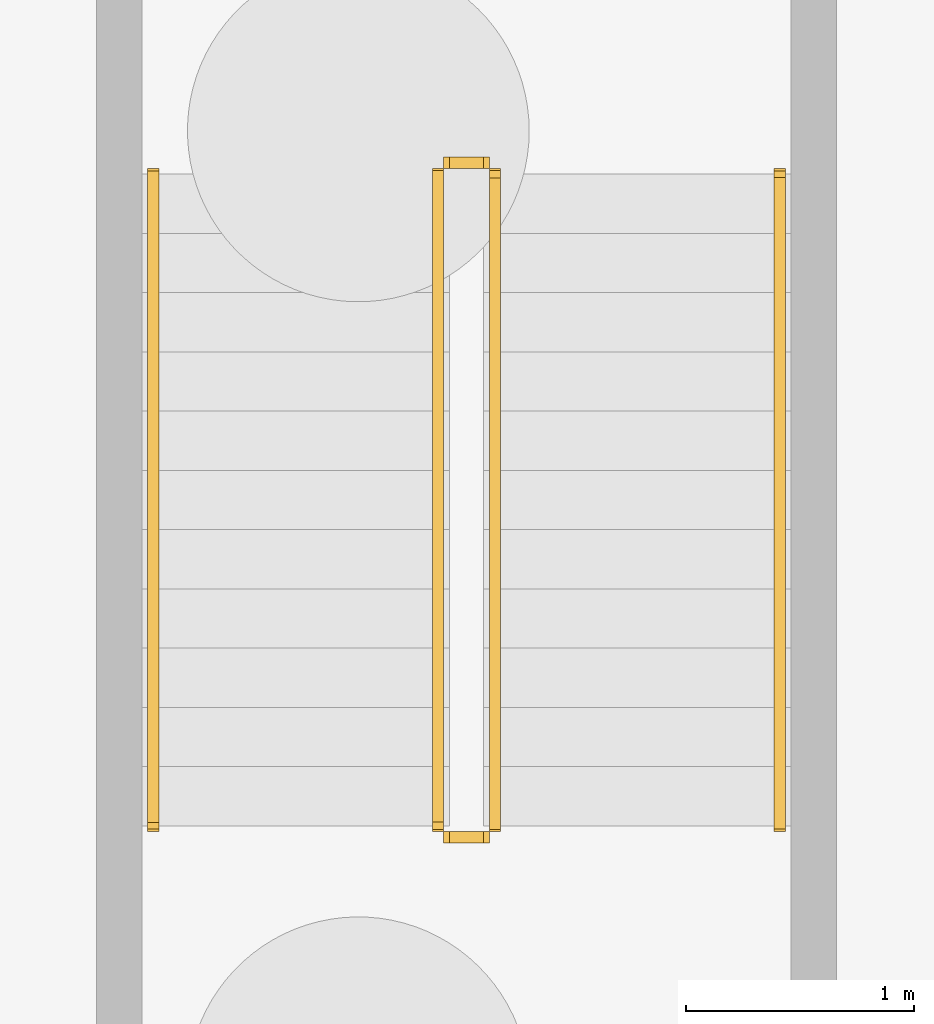
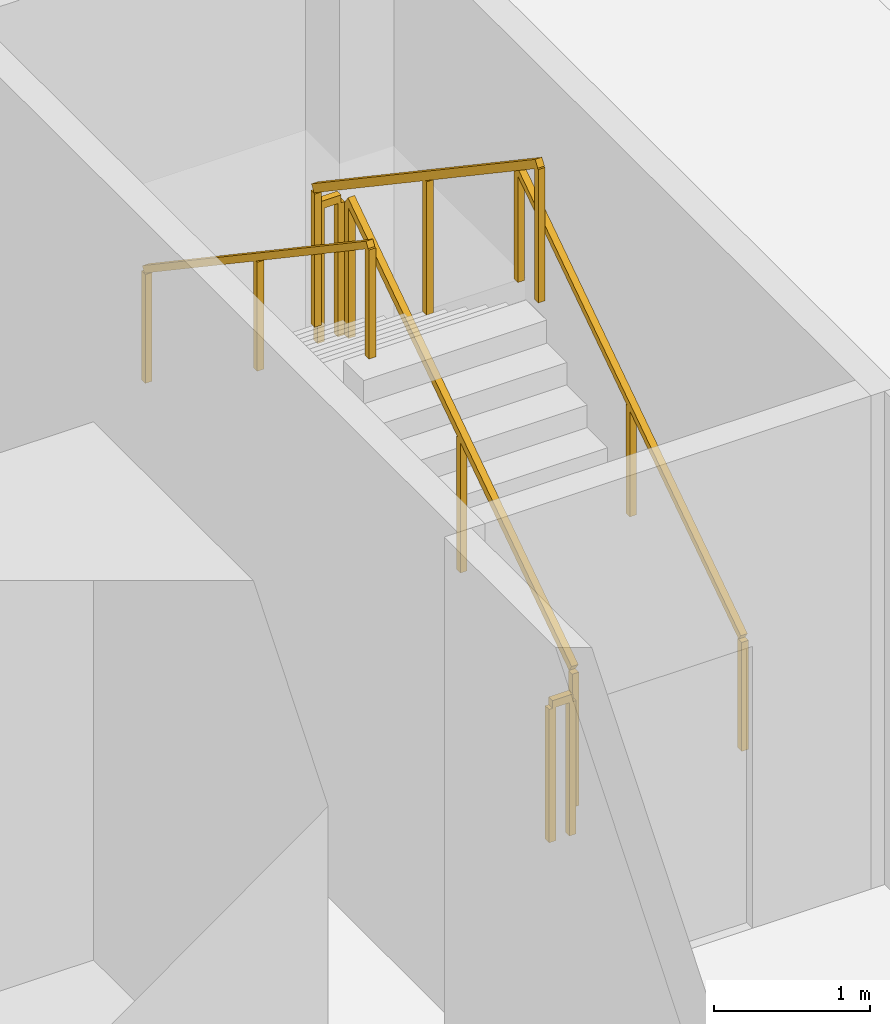
# One storey, part 18 of 19: 6 railings.
"""IFC4 building model written with IfcOpenShell, lengths in metres."""

from ifc_helpers import new_model, si_unit, direction, frame, origin, origin_2d, place, context, subcontext, project, spatial, rectangle, extrude, material, type_object, element, save


model = new_model("IFC4")

# Units and contexts
model_context = context("Model", 3, precision=1e-05, world=origin(), true_north=direction((0.0, 1.0)))
body_context = subcontext(model_context, "Body", "Model", "MODEL_VIEW")
ifc_project = project(units=[si_unit("LENGTHUNIT", "METRE"), si_unit("AREAUNIT", "SQUARE_METRE"), si_unit("VOLUMEUNIT", "CUBIC_METRE"), si_unit("PLANEANGLEUNIT", "RADIAN"), si_unit("MASSUNIT", "GRAM", prefix="KILO")], contexts=[model_context])

# Site, building, storey
site_placement = place(None, origin())
site = spatial("IfcSite", under=ifc_project, at=site_placement, CompositionType="ELEMENT")
building_placement = place(site_placement, origin())
building = spatial("IfcBuilding", under=site, at=building_placement, Name="Khepri Terraces", CompositionType="ELEMENT")
storey_placement = place(building_placement, frame((0.0, 0.0, -8.39990234375)))
storey = spatial("IfcBuildingStorey", under=building, at=storey_placement, Name="B2", CompositionType="ELEMENT", Elevation=-8.39990234375)

# Railings
ifc_material = material(Name="Stainless steel 316", Category="steel")
railing_type_1 = type_object("IfcRailingType", Name="RL-POD-GUARD", PredefinedType="GUARDRAIL", material=ifc_material)
railing_1_placement = place(storey_placement, frame((23.699951171875, 20.050048828125, 0.1748046875)))
element("IfcRailing", 1, at=railing_1_placement, inside=storey, type_object=railing_type_1, Name="B2 PS-1 stair guard 1", PredefinedType="GUARDRAIL", context=body_context, shape_type="SweptSolid", body=[
    extrude(rectangle(XDim=0.050048828125, YDim=0.06005859375, at=origin_2d()), frame((0.0, 0.0, 1.070068359375), z_axis=(0.0, 0.829568821333, 0.558404486615), x_axis=(-1.0, 0.0, 0.0)), (0.0, 0.0, 1.0), 3.447509765625),
    extrude(rectangle(XDim=0.050048828125, YDim=0.050048828125, at=origin_2d()), origin(), (0.0, 0.0, 1.0), 1.0400390625),
    extrude(rectangle(XDim=0.050048828125, YDim=0.050048828125, at=origin_2d()), frame((0.0, 1.429931640625, 0.96240234375)), (0.0, 0.0, 1.0), 1.0400390625),
    extrude(rectangle(XDim=0.050048828125, YDim=0.050048828125, at=origin_2d()), frame((0.0, 2.85986328125, 1.925048828125)), (0.0, 0.0, 1.0), 1.0400390625),
])
railing_2_placement = place(storey_placement, frame((23.64990234375, 22.9599609375, 2.099853515625)))
element("IfcRailing", 2, at=railing_2_placement, inside=storey, type_object=railing_type_1, Name="B2 PS-1 stair guard 2", PredefinedType="GUARDRAIL", context=body_context, shape_type="SweptSolid", body=[
    extrude(rectangle(XDim=0.050048828125, YDim=0.06005859375, at=origin_2d()), frame((0.0, 0.0, 1.070068359375), z_axis=(-1.0, 0.0, 0.0), x_axis=(0.0, -1.0, 0.0)), (0.0, 0.0, 1.0), 0.14990234375),
    extrude(rectangle(XDim=0.050048828125, YDim=0.050048828125, at=origin_2d()), origin(), (0.0, 0.0, 1.0), 1.0400390625),
    extrude(rectangle(XDim=0.050048828125, YDim=0.050048828125, at=origin_2d()), frame((-0.14990234375, 0.0, 0.0)), (0.0, 0.0, 1.0), 1.0400390625),
])
railing_3_placement = place(storey_placement, frame((23.449951171875, 22.909912109375, 2.27490234375)))
element("IfcRailing", 3, at=railing_3_placement, inside=storey, type_object=railing_type_1, Name="B2 PS-1 stair guard 3", PredefinedType="GUARDRAIL", context=body_context, shape_type="SweptSolid", body=[
    extrude(rectangle(XDim=0.050048828125, YDim=0.06005859375, at=origin_2d()), frame((0.0, 0.0, 1.070068359375), z_axis=(0.0, -0.829568821333, 0.558404486615), x_axis=(1.0, 0.0, 0.0)), (0.0, 0.0, 1.0), 3.447509765625),
    extrude(rectangle(XDim=0.050048828125, YDim=0.050048828125, at=origin_2d()), origin(), (0.0, 0.0, 1.0), 1.0400390625),
    extrude(rectangle(XDim=0.050048828125, YDim=0.050048828125, at=origin_2d()), frame((0.0, -1.429931640625, 0.96240234375)), (0.0, 0.0, 1.0), 1.0400390625),
    extrude(rectangle(XDim=0.050048828125, YDim=0.050048828125, at=origin_2d()), frame((0.0, -2.85986328125, 1.925048828125)), (0.0, 0.0, 1.0), 1.0400390625),
])
railing_4_placement = place(storey_placement, frame((23.64990234375, 20.0, 0.0)))
element("IfcRailing", 4, at=railing_4_placement, inside=storey, type_object=railing_type_1, Name="B2 PS-1 stair guard 4", PredefinedType="GUARDRAIL", context=body_context, shape_type="SweptSolid", body=[
    extrude(rectangle(XDim=0.050048828125, YDim=0.06005859375, at=origin_2d()), frame((0.0, 0.0, 1.070068359375), z_axis=(-1.0, 0.0, 0.0), x_axis=(0.0, -1.0, 0.0)), (0.0, 0.0, 1.0), 0.14990234375),
    extrude(rectangle(XDim=0.050048828125, YDim=0.050048828125, at=origin_2d()), origin(), (0.0, 0.0, 1.0), 1.0400390625),
    extrude(rectangle(XDim=0.050048828125, YDim=0.050048828125, at=origin_2d()), frame((-0.14990234375, 0.0, 0.0)), (0.0, 0.0, 1.0), 1.0400390625),
])
railing_type_2 = type_object("IfcRailingType", Name="RL-POD-HANDRAIL", PredefinedType="HANDRAIL", material=ifc_material)
railing_5_placement = place(storey_placement, frame((24.949951171875, 20.050048828125, 0.1748046875)))
element("IfcRailing", 5, at=railing_5_placement, inside=storey, type_object=railing_type_2, Name="B2 PS-1 stair handrail 1", PredefinedType="HANDRAIL", context=body_context, shape_type="SweptSolid", body=[
    extrude(rectangle(XDim=0.050048828125, YDim=0.050048828125, at=origin_2d()), frame((0.0, 0.0, 0.875), z_axis=(0.0, 0.829568821333, 0.558404486615), x_axis=(-1.0, 0.0, 0.0)), (0.0, 0.0, 1.0), 3.447509765625),
    extrude(rectangle(XDim=0.050048828125, YDim=0.050048828125, at=origin_2d()), origin(), (0.0, 0.0, 1.0), 0.849853515625),
    extrude(rectangle(XDim=0.050048828125, YDim=0.050048828125, at=origin_2d()), frame((0.0, 1.429931640625, 0.96240234375)), (0.0, 0.0, 1.0), 0.849853515625),
    extrude(rectangle(XDim=0.050048828125, YDim=0.050048828125, at=origin_2d()), frame((0.0, 2.85986328125, 1.925048828125)), (0.0, 0.0, 1.0), 0.849853515625),
])
railing_6_placement = place(storey_placement, frame((22.199951171875, 22.909912109375, 2.27490234375)))
element("IfcRailing", 6, at=railing_6_placement, inside=storey, type_object=railing_type_2, Name="B2 PS-1 stair handrail 2", PredefinedType="HANDRAIL", context=body_context, shape_type="SweptSolid", body=[
    extrude(rectangle(XDim=0.050048828125, YDim=0.050048828125, at=origin_2d()), frame((0.0, 0.0, 0.875), z_axis=(0.0, -0.829568821333, 0.558404486615), x_axis=(1.0, 0.0, 0.0)), (0.0, 0.0, 1.0), 3.447509765625),
    extrude(rectangle(XDim=0.050048828125, YDim=0.050048828125, at=origin_2d()), origin(), (0.0, 0.0, 1.0), 0.849853515625),
    extrude(rectangle(XDim=0.050048828125, YDim=0.050048828125, at=origin_2d()), frame((0.0, -1.429931640625, 0.96240234375)), (0.0, 0.0, 1.0), 0.849853515625),
    extrude(rectangle(XDim=0.050048828125, YDim=0.050048828125, at=origin_2d()), frame((0.0, -2.85986328125, 1.925048828125)), (0.0, 0.0, 1.0), 0.849853515625),
])

save(model, "model.ifc")
